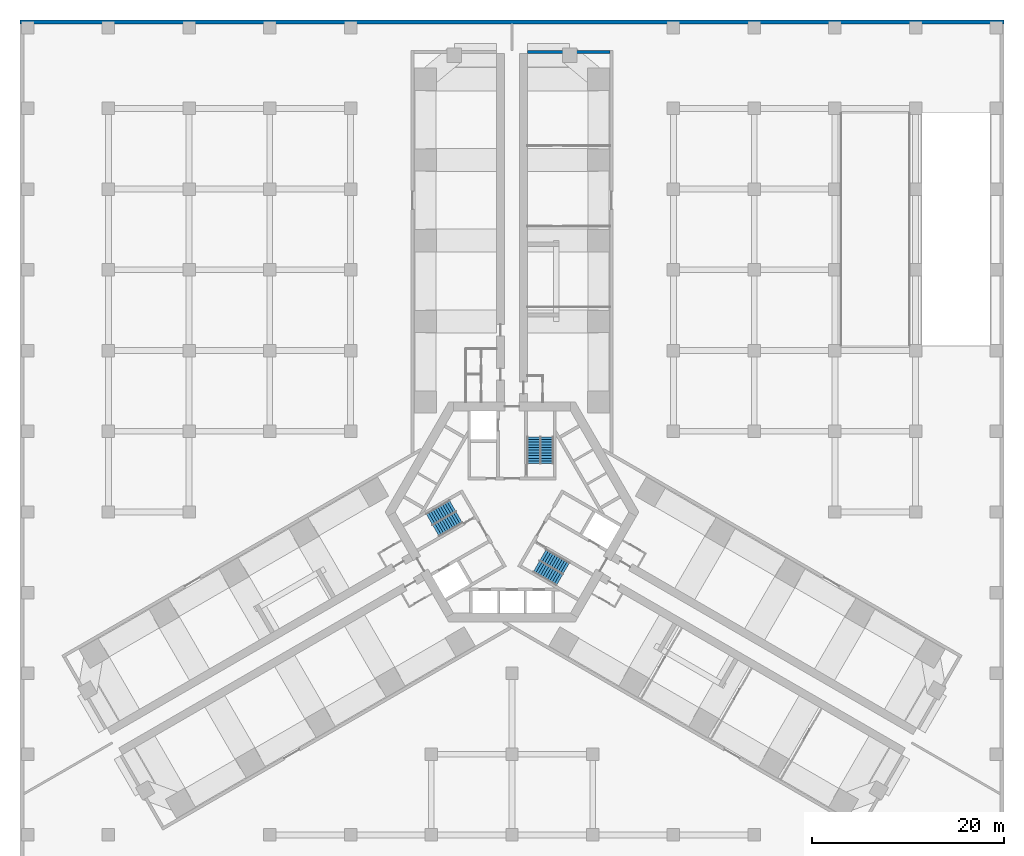
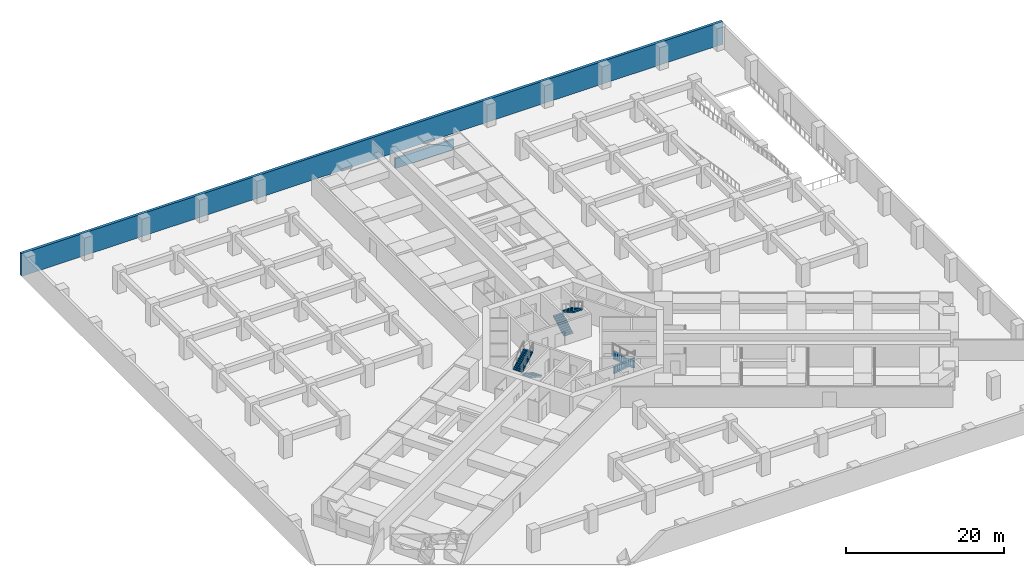
# One storey, part 9 of 10: 6 stair flights, 2 walls, 3 elements without a shape of their own.
"""IFC4 building model written with IfcOpenShell, lengths in metres."""

from ifc_helpers import new_model, si_unit, direction, frame, frame_2d, origin, place, context, subcontext, project, spatial, polyline, rectangle, outline, extrude, material, layer, layer_set, type_object, element, aggregate, save


model = new_model("IFC4")

# Units and contexts
model_context = context("Model", 3, precision=1e-05, world=origin(), true_north=direction((0.0, 1.0)))
body_context = subcontext(model_context, "Body", "Model", "MODEL_VIEW")
ifc_project = project(units=[si_unit("LENGTHUNIT", "METRE"), si_unit("AREAUNIT", "SQUARE_METRE"), si_unit("VOLUMEUNIT", "CUBIC_METRE"), si_unit("PLANEANGLEUNIT", "RADIAN"), si_unit("MASSUNIT", "GRAM", prefix="KILO")], contexts=[model_context])

# Site, building, storey
site_placement = place(None, origin())
site = spatial("IfcSite", under=ifc_project, at=site_placement, CompositionType="ELEMENT")
building_placement = place(site_placement, origin())
building = spatial("IfcBuilding", under=site, at=building_placement, Name="Impinga Residences", CompositionType="ELEMENT")
storey_placement = place(building_placement, frame((0.0, 0.0, -3.5)))
storey = spatial("IfcBuildingStorey", under=building, at=storey_placement, Name="B1", CompositionType="ELEMENT", Elevation=-3.5)

# Walls
ifc_material_1 = material(Name="Concrete blockwork", Category="masonry")
ifc_layer_1 = layer(ifc_material_1, 0.300048828125)
ifc_layer_set_1 = layer_set([ifc_layer_1], Name="PW3 podium wall on the wing face 300")
wall_type_1 = type_object("IfcWallType", Name="PW3 podium wall on the wing face 300", PredefinedType="SOLIDWALL", material=ifc_layer_set_1)
wall_1_placement = place(storey_placement, frame((1.60009765625, 47.881591796875, 0.0), z_axis=(0.0, 0.0, 1.0), x_axis=(1.0, 0.0, 0.0)))
element("IfcWall", 1, at=wall_1_placement, inside=storey, type_object=wall_type_1, Name="Podium wall on the wing face B1:END:NF", PredefinedType="SOLIDWALL", context=body_context, shape_type="SweptSolid", body=[
    extrude(rectangle(XDim=8.599853515625, YDim=0.300048828125, at=frame_2d((4.2998046875, 0.0))), origin(), (0.0, 0.0, 1.0), 1.550048828125),
])
ifc_material_2 = material(Name="Concrete C60/75", Category="concrete")
ifc_layer_2 = layer(ifc_material_2, 0.39990234375)
ifc_layer_set_2 = layer_set([ifc_layer_2], Name="Concrete C60/75")
wall_type_2 = type_object("IfcWallType", Name="RW1 basement retaining wall 400", PredefinedType="USERDEFINED", material=ifc_layer_set_2)
wall_2_placement = place(storey_placement, frame((-51.199951171875, 51.0, 0.0), z_axis=(0.0, 0.0, 1.0), x_axis=(1.0, 0.0, 0.0)))
element("IfcWall", 2, at=wall_2_placement, inside=storey, type_object=wall_type_2, Name="Retaining wall RW1 N B1", ObjectType="RETAINING WALL", PredefinedType="USERDEFINED", context=body_context, shape_type="SweptSolid", body=[
    extrude(rectangle(XDim=102.39990234375, YDim=0.39990234375, at=frame_2d((51.199951171875, 0.0))), origin(), (0.0, 0.0, 1.0), 3.5),
])

# Stair, stair flights
ifc_material_3 = material(Name="Concrete C40/50", Category="concrete")
stair_type = type_object("IfcStairType", Name="STR core stair 3500 storey, 22 risers", PredefinedType="HALF_TURN_STAIR", material=ifc_material_3)
stair_1_placement = place(storey_placement, origin())
stair_1 = element("IfcStair", 3, at=stair_1_placement, inside=storey, type_object=stair_type, Name="Stair ST1 B1", PredefinedType="HALF_TURN_STAIR")
stair_flight_type = type_object("IfcStairFlightType", Name="SF 11 risers of 159", PredefinedType="STRAIGHT", material=ifc_material_3)
stair_flight_1_placement = place(storey_placement, frame((2.27490234375, 5.030029296875, 0.0), z_axis=(0.0, 0.0, 1.0), x_axis=(0.0, 1.0, 0.0)))
stair_flight_1 = element("IfcStairFlight", 4, at=stair_flight_1_placement, type_object=stair_flight_type, Name="ST1 flight 1", NumberOfRisers=11, NumberOfTreads=10, PredefinedType="STRAIGHT", RiserHeight=0.159090909, TreadLength=0.28, context=body_context, shape_type="SweptSolid", body=[
    extrude(outline(polyline([(0.0, 0.0), (0.0, 0.1591796875), (0.280029296875, 0.1591796875), (0.280029296875, 0.318115234375), (0.56005859375, 0.318115234375), (0.56005859375, 0.477294921875), (0.840087890625, 0.477294921875), (0.840087890625, 0.636474609375), (1.1201171875, 0.636474609375), (1.1201171875, 0.79541015625), (1.39990234375, 0.79541015625), (1.39990234375, 0.95458984375), (1.679931640625, 0.95458984375), (1.679931640625, 1.113525390625), (1.9599609375, 1.113525390625), (1.9599609375, 1.272705078125), (2.239990234375, 1.272705078125), (2.239990234375, 1.431884765625), (2.52001953125, 1.431884765625), (2.52001953125, 1.5908203125), (2.800048828125, 1.5908203125), (2.800048828125, 1.75), (2.800048828125, 1.384033203125), (0.3642578125, 0.0), (0.0, 0.0)])), frame((0.0, 0.675048828125, 0.0), z_axis=(0.0, -1.0, 0.0), x_axis=(1.0, 0.0, 0.0)), (0.0, 0.0, 1.0), 1.35009765625),
])
stair_flight_2_placement = place(storey_placement, frame((3.625, 7.830078125, 1.75), z_axis=(0.0, 0.0, 1.0), x_axis=(0.0, -1.0, 0.0)))
stair_flight_2 = element("IfcStairFlight", 5, at=stair_flight_2_placement, type_object=stair_flight_type, Name="ST1 flight 2", NumberOfRisers=11, NumberOfTreads=10, PredefinedType="STRAIGHT", RiserHeight=0.159090909, TreadLength=0.28, context=body_context, shape_type="SweptSolid", body=[
    extrude(outline(polyline([(0.0, 0.0), (0.0, 0.1591796875), (0.280029296875, 0.1591796875), (0.280029296875, 0.318115234375), (0.56005859375, 0.318115234375), (0.56005859375, 0.477294921875), (0.840087890625, 0.477294921875), (0.840087890625, 0.636474609375), (1.1201171875, 0.636474609375), (1.1201171875, 0.79541015625), (1.39990234375, 0.79541015625), (1.39990234375, 0.95458984375), (1.679931640625, 0.95458984375), (1.679931640625, 1.113525390625), (1.9599609375, 1.113525390625), (1.9599609375, 1.272705078125), (2.239990234375, 1.272705078125), (2.239990234375, 1.431884765625), (2.52001953125, 1.431884765625), (2.52001953125, 1.5908203125), (2.800048828125, 1.5908203125), (2.800048828125, 1.75), (2.800048828125, 1.384033203125), (0.3642578125, 0.0), (0.0, 0.0)])), frame((0.0, 0.675048828125, 0.0), z_axis=(0.0, -1.0, 0.0), x_axis=(1.0, 0.0, 0.0)), (0.0, 0.0, 1.0), 1.35009765625),
])
aggregate(stair_1, [stair_flight_1, stair_flight_2])

stair_2_placement = place(storey_placement, origin())
stair_2 = element("IfcStair", 6, at=stair_2_placement, inside=storey, type_object=stair_type, Name="Stair ST2 B1", PredefinedType="HALF_TURN_STAIR")
stair_flight_3_placement = place(storey_placement, frame((-5.49365234375, -0.544677734375, 0.0), z_axis=(0.0, 0.0, 1.0), x_axis=(-0.866025403784, -0.5, 0.0)))
stair_flight_3 = element("IfcStairFlight", 7, at=stair_flight_3_placement, type_object=stair_flight_type, Name="ST2 flight 1", NumberOfRisers=11, NumberOfTreads=10, PredefinedType="STRAIGHT", RiserHeight=0.159090909, TreadLength=0.28, context=body_context, shape_type="SweptSolid", body=[
    extrude(outline(polyline([(0.0, 0.0), (0.0, 0.1591796875), (0.280029296875, 0.1591796875), (0.280029296875, 0.318115234375), (0.56005859375, 0.318115234375), (0.56005859375, 0.477294921875), (0.840087890625, 0.477294921875), (0.840087890625, 0.636474609375), (1.1201171875, 0.636474609375), (1.1201171875, 0.79541015625), (1.39990234375, 0.79541015625), (1.39990234375, 0.95458984375), (1.679931640625, 0.95458984375), (1.679931640625, 1.113525390625), (1.9599609375, 1.113525390625), (1.9599609375, 1.272705078125), (2.239990234375, 1.272705078125), (2.239990234375, 1.431884765625), (2.52001953125, 1.431884765625), (2.52001953125, 1.5908203125), (2.800048828125, 1.5908203125), (2.800048828125, 1.75), (2.800048828125, 1.384033203125), (0.3642578125, 0.0), (0.0, 0.0)])), frame((0.0, 0.675048828125, 0.0), z_axis=(0.0, -1.0, 0.0), x_axis=(1.0, 0.0, 0.0)), (0.0, 0.0, 1.0), 1.35009765625),
])
stair_flight_4_placement = place(storey_placement, frame((-8.593505859375, -0.775634765625, 1.75), z_axis=(0.0, 0.0, 1.0), x_axis=(0.866025403784, 0.5, 0.0)))
stair_flight_4 = element("IfcStairFlight", 8, at=stair_flight_4_placement, type_object=stair_flight_type, Name="ST2 flight 2", NumberOfRisers=11, NumberOfTreads=10, PredefinedType="STRAIGHT", RiserHeight=0.159090909, TreadLength=0.28, context=body_context, shape_type="SweptSolid", body=[
    extrude(outline(polyline([(0.0, 0.0), (0.0, 0.1591796875), (0.280029296875, 0.1591796875), (0.280029296875, 0.318115234375), (0.56005859375, 0.318115234375), (0.56005859375, 0.477294921875), (0.840087890625, 0.477294921875), (0.840087890625, 0.636474609375), (1.1201171875, 0.636474609375), (1.1201171875, 0.79541015625), (1.39990234375, 0.79541015625), (1.39990234375, 0.95458984375), (1.679931640625, 0.95458984375), (1.679931640625, 1.113525390625), (1.9599609375, 1.113525390625), (1.9599609375, 1.272705078125), (2.239990234375, 1.272705078125), (2.239990234375, 1.431884765625), (2.52001953125, 1.431884765625), (2.52001953125, 1.5908203125), (2.800048828125, 1.5908203125), (2.800048828125, 1.75), (2.800048828125, 1.384033203125), (0.3642578125, 0.0), (0.0, 0.0)])), frame((0.0, 0.675048828125, 0.0), z_axis=(0.0, -1.0, 0.0), x_axis=(1.0, 0.0, 0.0)), (0.0, 0.0, 1.0), 1.35009765625),
])
aggregate(stair_2, [stair_flight_3, stair_flight_4])

stair_3_placement = place(storey_placement, origin())
stair_3 = element("IfcStair", 9, at=stair_3_placement, inside=storey, type_object=stair_type, Name="Stair ST3 B1", PredefinedType="HALF_TURN_STAIR")
stair_flight_5_placement = place(storey_placement, frame((3.218505859375, -4.485107421875, 0.0), z_axis=(0.0, 0.0, 1.0), x_axis=(0.866025403784, -0.5, 0.0)))
stair_flight_5 = element("IfcStairFlight", 10, at=stair_flight_5_placement, type_object=stair_flight_type, Name="ST3 flight 1", NumberOfRisers=11, NumberOfTreads=10, PredefinedType="STRAIGHT", RiserHeight=0.159090909, TreadLength=0.28, context=body_context, shape_type="SweptSolid", body=[
    extrude(outline(polyline([(0.0, 0.0), (0.0, 0.1591796875), (0.280029296875, 0.1591796875), (0.280029296875, 0.318115234375), (0.56005859375, 0.318115234375), (0.56005859375, 0.477294921875), (0.840087890625, 0.477294921875), (0.840087890625, 0.636474609375), (1.1201171875, 0.636474609375), (1.1201171875, 0.79541015625), (1.39990234375, 0.79541015625), (1.39990234375, 0.95458984375), (1.679931640625, 0.95458984375), (1.679931640625, 1.113525390625), (1.9599609375, 1.113525390625), (1.9599609375, 1.272705078125), (2.239990234375, 1.272705078125), (2.239990234375, 1.431884765625), (2.52001953125, 1.431884765625), (2.52001953125, 1.5908203125), (2.800048828125, 1.5908203125), (2.800048828125, 1.75), (2.800048828125, 1.384033203125), (0.3642578125, 0.0), (0.0, 0.0)])), frame((0.0, 0.675048828125, 0.0), z_axis=(0.0, -1.0, 0.0), x_axis=(1.0, 0.0, 0.0)), (0.0, 0.0, 1.0), 1.35009765625),
])
stair_flight_6_placement = place(storey_placement, frame((4.968505859375, -7.054443359375, 1.75), z_axis=(0.0, 0.0, 1.0), x_axis=(-0.866025403784, 0.5, 0.0)))
stair_flight_6 = element("IfcStairFlight", 11, at=stair_flight_6_placement, type_object=stair_flight_type, Name="ST3 flight 2", NumberOfRisers=11, NumberOfTreads=10, PredefinedType="STRAIGHT", RiserHeight=0.159090909, TreadLength=0.28, context=body_context, shape_type="SweptSolid", body=[
    extrude(outline(polyline([(0.0, 0.0), (0.0, 0.1591796875), (0.280029296875, 0.1591796875), (0.280029296875, 0.318115234375), (0.56005859375, 0.318115234375), (0.56005859375, 0.477294921875), (0.840087890625, 0.477294921875), (0.840087890625, 0.636474609375), (1.1201171875, 0.636474609375), (1.1201171875, 0.79541015625), (1.39990234375, 0.79541015625), (1.39990234375, 0.95458984375), (1.679931640625, 0.95458984375), (1.679931640625, 1.113525390625), (1.9599609375, 1.113525390625), (1.9599609375, 1.272705078125), (2.239990234375, 1.272705078125), (2.239990234375, 1.431884765625), (2.52001953125, 1.431884765625), (2.52001953125, 1.5908203125), (2.800048828125, 1.5908203125), (2.800048828125, 1.75), (2.800048828125, 1.384033203125), (0.3642578125, 0.0), (0.0, 0.0)])), frame((0.0, 0.675048828125, 0.0), z_axis=(0.0, -1.0, 0.0), x_axis=(1.0, 0.0, 0.0)), (0.0, 0.0, 1.0), 1.35009765625),
])
aggregate(stair_3, [stair_flight_5, stair_flight_6])

save(model, "model.ifc")
